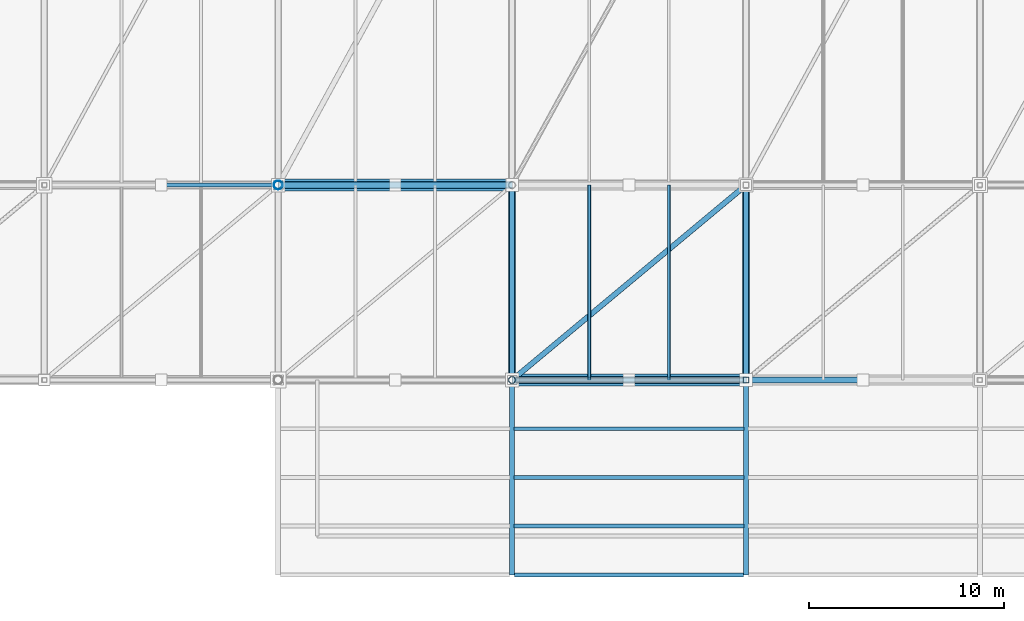
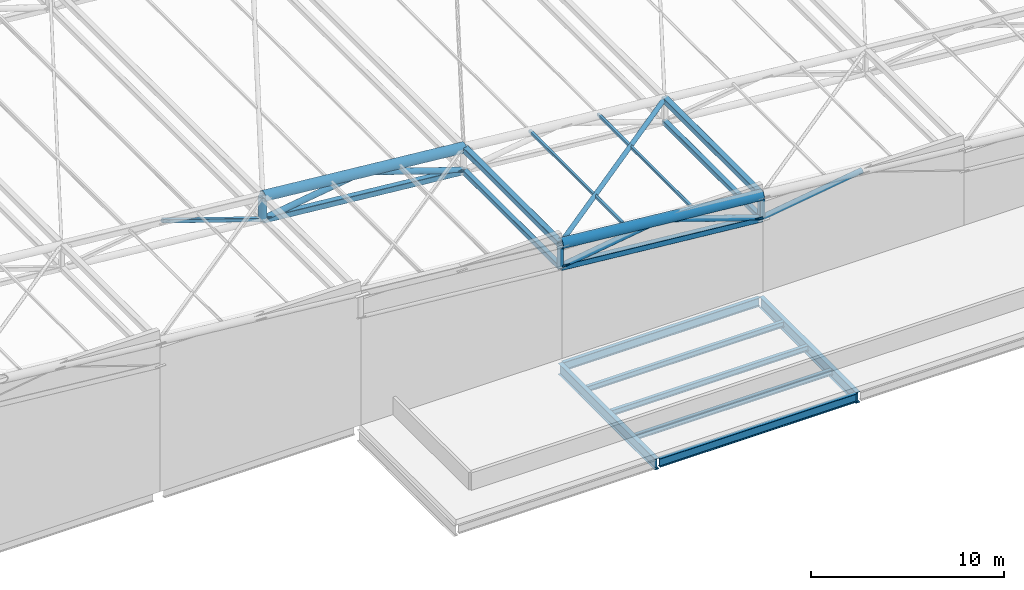
# One storey, part 9 of 44: 20 members, 7 beams.
"""IFC4 building model written with IfcOpenShell, lengths in metres."""

from ifc_helpers import new_model, si_unit, direction, frame, origin, origin_2d, place, context, subcontext, project, spatial, hollow_rectangle, hollow_circle, i_section, extrude, material, material_profile, profile_set, type_object, element, save


model = new_model("IFC4")

# Units and contexts
model_context = context("Model", 3, precision=1e-05, world=origin(), true_north=direction((0.0, 1.0)))
body_context = subcontext(model_context, "Body", "Model", "MODEL_VIEW")
ifc_project = project(units=[si_unit("LENGTHUNIT", "METRE"), si_unit("AREAUNIT", "SQUARE_METRE"), si_unit("VOLUMEUNIT", "CUBIC_METRE"), si_unit("PLANEANGLEUNIT", "RADIAN"), si_unit("MASSUNIT", "GRAM", prefix="KILO")], contexts=[model_context])

# Site, building, storey
site_placement = place(None, origin())
site = spatial("IfcSite", under=ifc_project, at=site_placement, CompositionType="ELEMENT")
building_placement = place(site_placement, origin())
building = spatial("IfcBuilding", under=site, at=building_placement, Name="Brinegate Civic Arena", CompositionType="ELEMENT")
storey_placement = place(building_placement, frame((0.0, 0.0, 29.39990234375)))
storey = spatial("IfcBuildingStorey", under=building, at=storey_placement, Name="RF", CompositionType="ELEMENT", Elevation=29.39990234375)

# Beams
ifc_material = material(Name="Steel S355", Category="steel")
ifc_material_profile_1 = material_profile(ifc_material, i_section(OverallWidth=0.256103515625, OverallDepth=0.693115234375, WebThickness=0.014892578125, FlangeThickness=0.02392578125, FilletRadius=0.01806640625, at=origin_2d()), Name="W690X170")
ifc_profile_set_1 = profile_set([ifc_material_profile_1], Name="Steel S355")
beam_type_1 = type_object("IfcBeamType", Name="GIRDER-W690X170", PredefinedType="BEAM", material=ifc_profile_set_1)
for number, where, z_axis, x_axis, name in (
    (1, (96.0, 0.0, -0.685791015625), (0.0, 1.0, 0.0), (-1.0, 0.0, 0.0), "Portal Roof Girder PGY-21"),
    (2, (108.0, 0.0, -0.685791015625), (0.0, 1.0, 0.0), (-1.0, 0.0, 0.0), "Portal Roof Girder PGY-22"),
):
    element("IfcBeam", number, at=place(storey_placement, frame(where, z_axis=z_axis, x_axis=x_axis)), inside=storey, type_object=beam_type_1, Name=name, PredefinedType="BEAM", context=body_context, shape_type="SweptSolid", body=[
        extrude(i_section(OverallWidth=0.256103515625, OverallDepth=0.693115234375, WebThickness=0.014892578125, FlangeThickness=0.02392578125, FilletRadius=0.01806640625, at=origin_2d()), origin(), (0.0, 0.0, 1.0), 10.0),
    ])
ifc_material_profile_2 = material_profile(ifc_material, i_section(OverallWidth=0.202880859375, OverallDepth=0.346923828125, WebThickness=0.008056640625, FlangeThickness=0.013916015625, FilletRadius=0.013916015625, at=origin_2d()), Name="W360X64")
ifc_profile_set_2 = profile_set([ifc_material_profile_2], Name="Steel S355")
beam_type_2 = type_object("IfcBeamType", Name="JOIST-W360X64", PredefinedType="JOIST", material=ifc_profile_set_2)
for number, where, z_axis, x_axis, name in (
    (3, (96.10791015625, 2.5, -0.512939453125), (1.0, 0.0, 0.0), (0.0, 1.0, 0.0), "Portal Roof Joist PJX-32"),
    (4, (96.10791015625, 5.0, -0.512939453125), (1.0, 0.0, 0.0), (0.0, 1.0, 0.0), "Portal Roof Joist PJX-33"),
    (5, (96.10791015625, 7.5, -0.512939453125), (1.0, 0.0, 0.0), (0.0, 1.0, 0.0), "Portal Roof Joist PJX-34"),
):
    element("IfcBeam", number, at=place(storey_placement, frame(where, z_axis=z_axis, x_axis=x_axis)), inside=storey, type_object=beam_type_2, Name=name, PredefinedType="JOIST", context=body_context, shape_type="SweptSolid", body=[
        extrude(i_section(OverallWidth=0.202880859375, OverallDepth=0.346923828125, WebThickness=0.008056640625, FlangeThickness=0.013916015625, FilletRadius=0.013916015625, at=origin_2d()), origin(), (0.0, 0.0, 1.0), 11.7841796875),
    ])

# Members
ifc_material_profile_3 = material_profile(ifc_material, hollow_rectangle(XDim=0.159912109375, YDim=0.159912109375, WallThickness=0.008056640625, InnerFilletRadius=0.008056640625, OuterFilletRadius=0.01611328125, at=origin_2d()), Name="SHS160X8")
ifc_profile_set_3 = profile_set([ifc_material_profile_3], Name="Steel S355")
member_type_1 = type_object("IfcMemberType", Name="RF-PURLIN-SHS160", PredefinedType="PURLIN", material=ifc_profile_set_3)
for number, where, z_axis, x_axis, name in (
    (6, (99.9599609375, 10.0, 6.839111328125), (0.0, 1.0, 0.0), (-1.0, 0.0, 0.0), "Roof Purlin RFP-009"),
    (7, (104.0400390625, 10.0, 6.4560546875), (0.0, 1.0, 0.0), (-1.0, 0.0, 0.0), "Roof Purlin RFP-010"),
):
    element("IfcMember", number, at=place(storey_placement, frame(where, z_axis=z_axis, x_axis=x_axis)), inside=storey, type_object=member_type_1, Name=name, PredefinedType="PURLIN", context=body_context, shape_type="SweptSolid", body=[
        extrude(hollow_rectangle(XDim=0.159912109375, YDim=0.159912109375, WallThickness=0.008056640625, InnerFilletRadius=0.008056640625, OuterFilletRadius=0.01611328125, at=origin_2d()), origin(), (0.0, 0.0, 1.0), 10.0),
    ])
ifc_material_profile_4 = material_profile(ifc_material, hollow_circle(Radius=0.136474609375, WallThickness=0.011962890625, at=origin_2d()), Name="CHS273X12")
ifc_profile_set_4 = profile_set([ifc_material_profile_4], Name="Steel S355")
member_type_2 = type_object("IfcMemberType", Name="SF-BRACE-CHS273", PredefinedType="BRACE", material=ifc_profile_set_4)
member_1_placement = place(storey_placement, frame((96.0, 10.0, 7.175048828125), z_axis=(0.766236619907, 0.638530516589, -0.071834683116), x_axis=(-0.640184399664, 0.768221279597, 0.0)))
element("IfcMember", 8, at=member_1_placement, inside=storey, type_object=member_type_2, Name="Roof Plan Diagonal Brace PL-1-5", PredefinedType="BRACE", context=body_context, shape_type="SweptSolid", body=[
    extrude(hollow_circle(Radius=0.136474609375, WallThickness=0.011962890625, at=origin_2d()), origin(), (0.0, 0.0, 1.0), 15.660888671875),
])
ifc_material_profile_5 = material_profile(ifc_material, hollow_circle(Radius=0.162109375, WallThickness=0.011962890625, at=origin_2d()), Name="CHS324X12")
ifc_profile_set_5 = profile_set([ifc_material_profile_5], Name="Steel S355")
member_type_3 = type_object("IfcMemberType", Name="SF-BRACE-CHS324", PredefinedType="BRACE", material=ifc_profile_set_5)
member_2_placement = place(storey_placement, frame((108.0, 10.0, 4.60009765625), z_axis=(0.989226142737, 0.0, 0.1463954867), x_axis=(0.0, 1.0, 0.0)))
element("IfcMember", 9, at=member_2_placement, inside=storey, type_object=member_type_3, Name="Space Frame Web Brace D1-1-6", PredefinedType="BRACE", context=body_context, shape_type="SweptSolid", body=[
    extrude(hollow_circle(Radius=0.162109375, WallThickness=0.011962890625, at=origin_2d()), origin(), (0.0, 0.0, 1.0), 6.0654296875),
])
ifc_material_profile_6 = material_profile(ifc_material, hollow_circle(Radius=0.177978515625, WallThickness=0.013916015625, at=origin_2d()), Name="CHS356X14")
ifc_profile_set_6 = profile_set([ifc_material_profile_6], Name="Steel S355")
member_type_4 = type_object("IfcMemberType", Name="SF-BRACE-CHS356", PredefinedType="BRACE", material=ifc_profile_set_6)
member_3_placement = place(storey_placement, frame((96.0, 10.0, 5.72509765625), z_axis=(0.989226142737, 0.0, 0.1463954867), x_axis=(0.0, 1.0, 0.0)))
element("IfcMember", 10, at=member_3_placement, inside=storey, type_object=member_type_4, Name="Space Frame Web Brace D1-1-5", PredefinedType="BRACE", context=body_context, shape_type="SweptSolid", body=[
    extrude(hollow_circle(Radius=0.177978515625, WallThickness=0.013916015625, at=origin_2d()), origin(), (0.0, 0.0, 1.0), 6.0654296875),
])
member_4_placement = place(storey_placement, frame((102.0, 10.0, 6.613037109375), z_axis=(0.948068139281, 0.0, -0.318067293635), x_axis=(0.0, 1.0, 0.0)))
element("IfcMember", 11, at=member_4_placement, inside=storey, type_object=member_type_4, Name="Space Frame Web Brace D2-1-5", PredefinedType="BRACE", context=body_context, shape_type="SweptSolid", body=[
    extrude(hollow_circle(Radius=0.177978515625, WallThickness=0.013916015625, at=origin_2d()), origin(), (0.0, 0.0, 1.0), 6.32861328125),
])
member_5_placement = place(storey_placement, frame((84.0, 20.0, 6.85009765625), z_axis=(0.989226142737, 0.0, 0.1463954867), x_axis=(0.0, 1.0, 0.0)))
element("IfcMember", 12, at=member_5_placement, inside=storey, type_object=member_type_4, Name="Space Frame Web Brace D1-2-4", PredefinedType="BRACE", context=body_context, shape_type="SweptSolid", body=[
    extrude(hollow_circle(Radius=0.177978515625, WallThickness=0.013916015625, at=origin_2d()), origin(), (0.0, 0.0, 1.0), 6.0654296875),
])
member_6_placement = place(storey_placement, frame((90.0, 20.0, 7.738037109375), z_axis=(0.948068139281, 0.0, -0.318067293635), x_axis=(0.0, 1.0, 0.0)))
element("IfcMember", 13, at=member_6_placement, inside=storey, type_object=member_type_4, Name="Space Frame Web Brace D2-2-4", PredefinedType="BRACE", context=body_context, shape_type="SweptSolid", body=[
    extrude(hollow_circle(Radius=0.177978515625, WallThickness=0.013916015625, at=origin_2d()), origin(), (0.0, 0.0, 1.0), 6.32861328125),
])
ifc_material_profile_7 = material_profile(ifc_material, hollow_rectangle(XDim=0.219970703125, YDim=0.219970703125, WallThickness=0.011962890625, InnerFilletRadius=0.011962890625, OuterFilletRadius=0.02392578125, at=origin_2d()), Name="SHS220X12")
ifc_profile_set_7 = profile_set([ifc_material_profile_7], Name="Steel S355")
member_type_5 = type_object("IfcMemberType", Name="SF-BRACE-SHS220", PredefinedType="BRACE", material=ifc_profile_set_7)
member_7_placement = place(storey_placement, frame((78.0, 20.0, 8.863037109375), z_axis=(0.948068139281, 0.0, -0.318067293635), x_axis=(0.0, 1.0, 0.0)))
element("IfcMember", 14, at=member_7_placement, inside=storey, type_object=member_type_5, Name="Space Frame Web Brace D2-2-3", PredefinedType="BRACE", context=body_context, shape_type="SweptSolid", body=[
    extrude(hollow_rectangle(XDim=0.219970703125, YDim=0.219970703125, WallThickness=0.011962890625, InnerFilletRadius=0.011962890625, OuterFilletRadius=0.02392578125, at=origin_2d()), origin(), (0.0, 0.0, 1.0), 6.32861328125),
])
ifc_material_profile_8 = material_profile(ifc_material, hollow_circle(Radius=0.304931640625, WallThickness=0.02490234375, at=origin_2d()), Name="CHS610X25")
ifc_profile_set_8 = profile_set([ifc_material_profile_8], Name="Steel S355")
member_type_6 = type_object("IfcMemberType", Name="SF-CHORD-CHS610", PredefinedType="CHORD", material=ifc_profile_set_8)
for number, where, z_axis, x_axis, name in (
    (15, (96.0, 10.0, 7.175048828125), (0.995634226059, 0.0, -0.093340708693), (0.0, 1.0, 0.0), "Space Frame Top Chord TX-1-5"),
    (16, (84.0, 20.0, 8.300048828125), (0.995634226059, 0.0, -0.093340708693), (0.0, 1.0, 0.0), "Space Frame Top Chord TX-2-4"),
):
    element("IfcMember", number, at=place(storey_placement, frame(where, z_axis=z_axis, x_axis=x_axis)), inside=storey, type_object=member_type_6, Name=name, PredefinedType="CHORD", context=body_context, shape_type="SweptSolid", body=[
        extrude(hollow_circle(Radius=0.304931640625, WallThickness=0.02490234375, at=origin_2d()), origin(), (0.0, 0.0, 1.0), 12.052734375),
    ])
ifc_material_profile_9 = material_profile(ifc_material, hollow_rectangle(XDim=0.300048828125, YDim=0.300048828125, WallThickness=0.01611328125, InnerFilletRadius=0.01611328125, OuterFilletRadius=0.031982421875, at=origin_2d()), Name="SHS300X16")
ifc_profile_set_9 = profile_set([ifc_material_profile_9], Name="Steel S355")
member_type_7 = type_object("IfcMemberType", Name="SF-CHORD-SHS300", PredefinedType="CHORD", material=ifc_profile_set_9)
for number, where, z_axis, x_axis, name in (
    (17, (96.0, 10.0, 5.72509765625), (0.0, 1.0, 0.0), (-1.0, 0.0, 0.0), "Space Frame Cross Bottom Chord BY-1-5"),
    (18, (108.0, 10.0, 4.60009765625), (0.0, 1.0, 0.0), (-1.0, 0.0, 0.0), "Space Frame Cross Bottom Chord BY-1-6"),
):
    element("IfcMember", number, at=place(storey_placement, frame(where, z_axis=z_axis, x_axis=x_axis)), inside=storey, type_object=member_type_7, Name=name, PredefinedType="CHORD", context=body_context, shape_type="SweptSolid", body=[
        extrude(hollow_rectangle(XDim=0.300048828125, YDim=0.300048828125, WallThickness=0.01611328125, InnerFilletRadius=0.01611328125, OuterFilletRadius=0.031982421875, at=origin_2d()), origin(), (0.0, 0.0, 1.0), 10.0),
    ])
ifc_material_profile_10 = material_profile(ifc_material, hollow_rectangle(XDim=0.35009765625, YDim=0.35009765625, WallThickness=0.01611328125, InnerFilletRadius=0.01611328125, OuterFilletRadius=0.031982421875, at=origin_2d()), Name="SHS350X16")
ifc_profile_set_10 = profile_set([ifc_material_profile_10], Name="Steel S355")
member_type_8 = type_object("IfcMemberType", Name="SF-CHORD-SHS350", PredefinedType="CHORD", material=ifc_profile_set_10)
for number, where, z_axis, x_axis, name in (
    (19, (96.0, 10.0, 5.72509765625), (0.995634226059, 0.0, -0.093340708693), (0.0, 1.0, 0.0), "Space Frame Bottom Chord BX-1-5"),
    (20, (84.0, 20.0, 6.85009765625), (0.995634226059, 0.0, -0.093340708693), (0.0, 1.0, 0.0), "Space Frame Bottom Chord BX-2-4"),
):
    element("IfcMember", number, at=place(storey_placement, frame(where, z_axis=z_axis, x_axis=x_axis)), inside=storey, type_object=member_type_8, Name=name, PredefinedType="CHORD", context=body_context, shape_type="SweptSolid", body=[
        extrude(hollow_rectangle(XDim=0.35009765625, YDim=0.35009765625, WallThickness=0.01611328125, InnerFilletRadius=0.01611328125, OuterFilletRadius=0.031982421875, at=origin_2d()), origin(), (0.0, 0.0, 1.0), 12.052734375),
    ])
for number, where, z_axis, x_axis, name in (
    (21, (96.0, 10.0, 7.175048828125), (0.0, 1.0, 0.0), (-1.0, 0.0, 0.0), "Space Frame Cross Top Chord TY-1-5"),
    (22, (108.0, 10.0, 6.050048828125), (0.0, 1.0, 0.0), (-1.0, 0.0, 0.0), "Space Frame Cross Top Chord TY-1-6"),
):
    element("IfcMember", number, at=place(storey_placement, frame(where, z_axis=z_axis, x_axis=x_axis)), inside=storey, type_object=member_type_8, Name=name, PredefinedType="CHORD", context=body_context, shape_type="SweptSolid", body=[
        extrude(hollow_rectangle(XDim=0.35009765625, YDim=0.35009765625, WallThickness=0.01611328125, InnerFilletRadius=0.01611328125, OuterFilletRadius=0.031982421875, at=origin_2d()), origin(), (0.0, 0.0, 1.0), 10.0),
    ])
ifc_material_profile_11 = material_profile(ifc_material, hollow_circle(Radius=0.177978515625, WallThickness=0.013916015625, at=origin_2d()), Name="CHS356X14")
ifc_profile_set_11 = profile_set([ifc_material_profile_11], Name="Steel S355")
member_type_9 = type_object("IfcMemberType", Name="SF-STRUT-CHS356", PredefinedType="STRUT", material=ifc_profile_set_11)
member_8_placement = place(storey_placement, frame((96.0, 10.0, 5.72509765625), z_axis=(0.0, 0.0, 1.0), x_axis=(1.0, 0.0, 0.0)))
element("IfcMember", 23, at=member_8_placement, inside=storey, type_object=member_type_9, Name="Space Frame Vertical Post V-1-5", PredefinedType="STRUT", context=body_context, shape_type="SweptSolid", body=[
    extrude(hollow_circle(Radius=0.177978515625, WallThickness=0.013916015625, at=origin_2d()), origin(), (0.0, 0.0, 1.0), 1.449951171875),
])
ifc_material_profile_12 = material_profile(ifc_material, hollow_circle(Radius=0.228515625, WallThickness=0.01611328125, at=origin_2d()), Name="CHS457X16")
ifc_profile_set_12 = profile_set([ifc_material_profile_12], Name="Steel S355")
member_type_10 = type_object("IfcMemberType", Name="SF-STRUT-CHS457", PredefinedType="STRUT", material=ifc_profile_set_12)
member_9_placement = place(storey_placement, frame((84.0, 20.0, 6.85009765625), z_axis=(0.0, 0.0, 1.0), x_axis=(1.0, 0.0, 0.0)))
element("IfcMember", 24, at=member_9_placement, inside=storey, type_object=member_type_10, Name="Space Frame Vertical Post V-2-4", PredefinedType="STRUT", context=body_context, shape_type="SweptSolid", body=[
    extrude(hollow_circle(Radius=0.228515625, WallThickness=0.01611328125, at=origin_2d()), origin(), (0.0, 0.0, 1.0), 1.449951171875),
])
ifc_material_profile_13 = material_profile(ifc_material, hollow_rectangle(XDim=0.300048828125, YDim=0.300048828125, WallThickness=0.01611328125, InnerFilletRadius=0.01611328125, OuterFilletRadius=0.031982421875, at=origin_2d()), Name="SHS300X16")
ifc_profile_set_13 = profile_set([ifc_material_profile_13], Name="Steel S355")
member_type_11 = type_object("IfcMemberType", Name="SF-STRUT-SHS300", PredefinedType="STRUT", material=ifc_profile_set_13)
member_10_placement = place(storey_placement, frame((108.0, 10.0, 4.60009765625), z_axis=(0.0, 0.0, 1.0), x_axis=(1.0, 0.0, 0.0)))
element("IfcMember", 25, at=member_10_placement, inside=storey, type_object=member_type_11, Name="Space Frame Vertical Post V-1-6", PredefinedType="STRUT", context=body_context, shape_type="SweptSolid", body=[
    extrude(hollow_rectangle(XDim=0.300048828125, YDim=0.300048828125, WallThickness=0.01611328125, InnerFilletRadius=0.01611328125, OuterFilletRadius=0.031982421875, at=origin_2d()), origin(), (0.0, 0.0, 1.0), 1.449951171875),
])

# Beams
ifc_material_profile_14 = material_profile(ifc_material, i_section(OverallWidth=0.2119140625, OverallDepth=0.5439453125, WebThickness=0.012939453125, FlangeThickness=0.02099609375, FilletRadius=0.01611328125, at=origin_2d()), Name="W530X123")
ifc_profile_set_14 = profile_set([ifc_material_profile_14], Name="Steel S355")
beam_type_3 = type_object("IfcBeamType", Name="SPANDREL-W530X123", PredefinedType="SPANDREL", material=ifc_profile_set_14)
for number, where, z_axis, x_axis, name in (
    (26, (96.1298828125, 0.0, -0.61181640625), (1.0, 0.0, 0.0), (0.0, 1.0, 0.0), "Portal Roof Spandrel PGX-30"),
    (27, (96.1298828125, 10.0, -0.61181640625), (1.0, 0.0, 0.0), (0.0, 1.0, 0.0), "Portal Roof Spandrel PGX-31"),
):
    element("IfcBeam", number, at=place(storey_placement, frame(where, z_axis=z_axis, x_axis=x_axis)), inside=storey, type_object=beam_type_3, Name=name, PredefinedType="SPANDREL", context=body_context, shape_type="SweptSolid", body=[
        extrude(i_section(OverallWidth=0.2119140625, OverallDepth=0.5439453125, WebThickness=0.012939453125, FlangeThickness=0.02099609375, FilletRadius=0.01611328125, at=origin_2d()), origin(), (0.0, 0.0, 1.0), 11.740234375),
    ])

save(model, "model.ifc")
